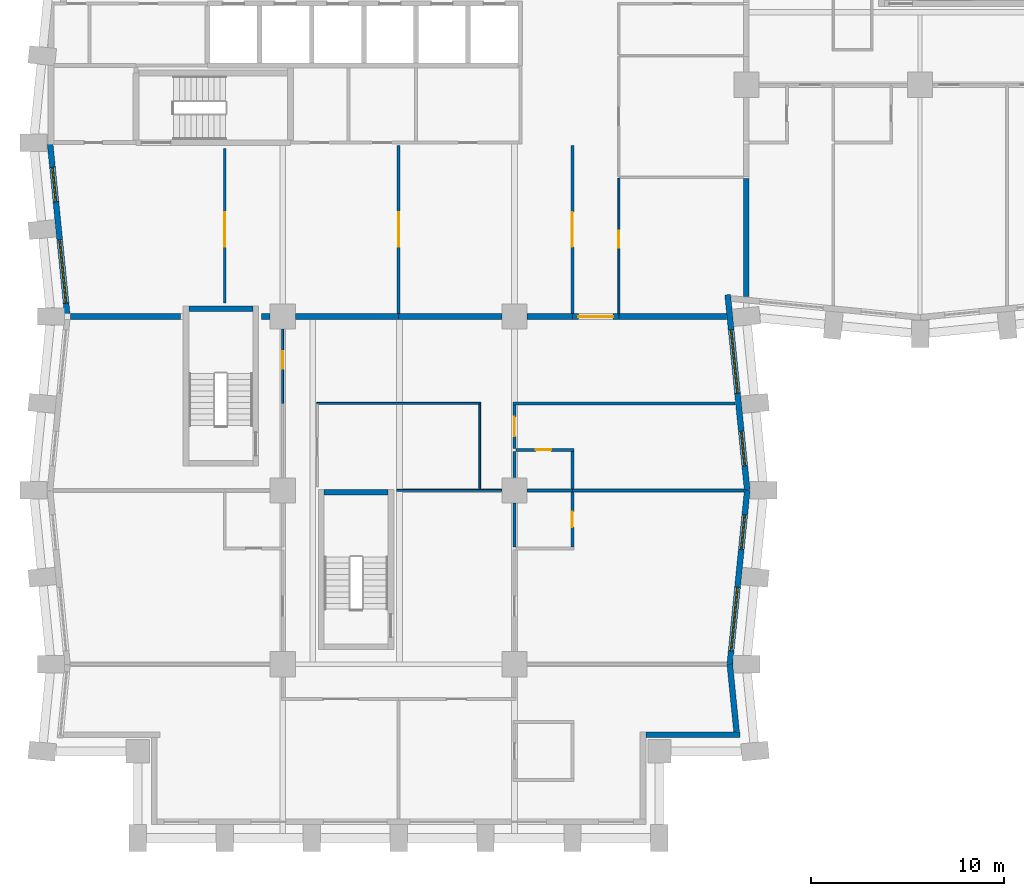
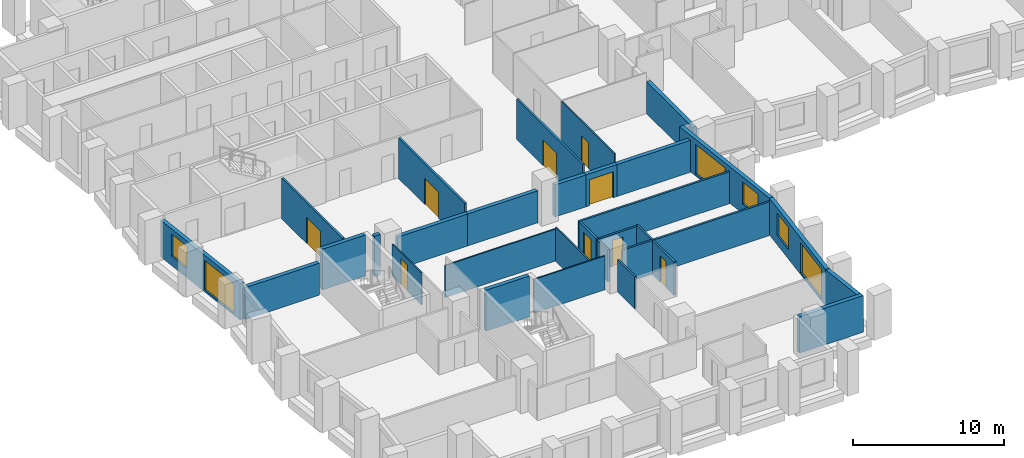
# One storey, part 4 of 12: 32 walls, 9 doors, 6 windows, 15 openings.
"""IFC4 building model written with IfcOpenShell, lengths in metres."""

from ifc_helpers import new_model, si_unit, direction, frame, frame_2d, origin, place, context, subcontext, project, spatial, rectangle, extrude, material, layer, layer_set, type_object, element, fill, save


model = new_model("IFC4")

# Units and contexts
model_context = context("Model", 3, precision=1e-05, world=origin(), true_north=direction((0.0, 1.0)))
body_context = subcontext(model_context, "Body", "Model", "MODEL_VIEW")
ifc_project = project(units=[si_unit("LENGTHUNIT", "METRE"), si_unit("AREAUNIT", "SQUARE_METRE"), si_unit("VOLUMEUNIT", "CUBIC_METRE"), si_unit("PLANEANGLEUNIT", "RADIAN"), si_unit("MASSUNIT", "GRAM", prefix="KILO")], contexts=[model_context])

# Site, building, storey
site_placement = place(None, origin())
site = spatial("IfcSite", under=ifc_project, at=site_placement, CompositionType="ELEMENT")
building_placement = place(site_placement, origin())
building = spatial("IfcBuilding", under=site, at=building_placement, Name="Brondeck Convention Tower", CompositionType="ELEMENT")
storey_placement = place(building_placement, frame((0.0, 0.0, 51.89990234375)))
storey = spatial("IfcBuildingStorey", under=building, at=storey_placement, Name="L10", CompositionType="ELEMENT", Elevation=51.89990234375)

# Walls
ifc_material_1 = material(Name="Concrete compartment wall C30/37", Category="concrete")
ifc_layer_1 = layer(ifc_material_1, 0.300048828125)
ifc_layer_set_1 = layer_set([ifc_layer_1], Name="Compartment wall 300")
wall_type_1 = type_object("IfcWallType", Name="Compartment wall 300", PredefinedType="PARTITIONING", material=ifc_layer_set_1)
wall_1_placement = place(storey_placement, frame((6.699951171875, 27.0, 0.0), z_axis=(0.0, 0.0, 1.0), x_axis=(-1.0, 0.0, 0.0)))
element("IfcWall", 1, at=wall_1_placement, inside=storey, type_object=wall_type_1, Name="FLR-L10-W035", PredefinedType="PARTITIONING", context=body_context, shape_type="SweptSolid", body=[
    extrude(rectangle(XDim=5.675048828125, YDim=0.300048828125, at=frame_2d((2.83740234375, 0.0))), origin(), (0.0, 0.0, 1.0), 2.580078125),
])
wall_2_placement = place(storey_placement, frame((11.344970703125, 27.0, 0.0), z_axis=(0.0, 0.0, 1.0), x_axis=(-1.0, 0.0, 0.0)))
element("IfcWall", 2, at=wall_2_placement, inside=storey, type_object=wall_type_1, Name="FLR-L10-W036", PredefinedType="PARTITIONING", context=body_context, shape_type="SweptSolid", body=[
    extrude(rectangle(XDim=0.445068359375, YDim=0.300048828125, at=frame_2d((0.22265625, 0.0))), origin(), (0.0, 0.0, 1.0), 3.280029296875),
])
for number, where, z_axis, x_axis, name in (
    (3, (18.0, 27.0, 0.0), (0.0, 0.0, 1.0), (-1.0, 0.0, 0.0), "FLR-L10-W037"),
    (4, (23.344970703125, 27.0, 0.0), (0.0, 0.0, 1.0), (-1.0, 0.0, 0.0), "FLR-L10-W038"),
):
    element("IfcWall", number, at=place(storey_placement, frame(where, z_axis=z_axis, x_axis=x_axis)), inside=storey, type_object=wall_type_1, Name=name, PredefinedType="PARTITIONING", context=body_context, shape_type="SweptSolid", body=[
        extrude(rectangle(XDim=5.344970703125, YDim=0.300048828125, at=frame_2d((2.67236328125, 0.0))), origin(), (0.0, 0.0, 1.0), 2.580078125),
    ])
wall_3_placement = place(storey_placement, frame((27.0, 27.0, 0.0), z_axis=(0.0, 0.0, 1.0), x_axis=(-1.0, 0.0, 0.0)))
element("IfcWall", 5, at=wall_3_placement, inside=storey, type_object=wall_type_1, Name="FLR-L10-W039", PredefinedType="PARTITIONING", context=body_context, shape_type="SweptSolid", body=[
    extrude(rectangle(XDim=2.344970703125, YDim=0.300048828125, at=frame_2d((1.17236328125, 0.0))), origin(), (0.0, 0.0, 1.0), 2.580078125),
])

# Wall, opening, door
wall_4_placement = place(storey_placement, frame((29.39990234375, 27.0, 0.0), z_axis=(0.0, 0.0, 1.0), x_axis=(-1.0, 0.0, 0.0)))
wall_4 = element("IfcWall", 6, at=wall_4_placement, inside=storey, type_object=wall_type_1, Name="FLR-L10-W040", PredefinedType="PARTITIONING", context=body_context, shape_type="SweptSolid", body=[
    extrude(rectangle(XDim=2.39990234375, YDim=0.300048828125, at=frame_2d((1.199951171875, 0.0))), origin(), (0.0, 0.0, 1.0), 2.580078125),
])
opening_1_placement = place(wall_4_placement, frame((0.300048828125, 0.0, 0.0)))
opening_1 = element("IfcOpeningElement", 7, at=opening_1_placement, cuts=wall_4, Name="Opening H2-043", PredefinedType="OPENING", context=body_context, shape_type="SweptSolid", body=[
    extrude(rectangle(XDim=1.800048828125, YDim=2.10009765625, at=frame_2d((0.89990234375, 1.050048828125))), frame((0.0, 0.159912109375, 0.0), z_axis=(0.0, -1.0, 0.0), x_axis=(1.0, 0.0, 0.0)), (0.0, 0.0, 1.0), 0.320068359375),
])
ifc_material_2 = material(Name="Steel fire door pair", Category="steel")
door_type_1 = type_object("IfcDoorType", Name="Fire door pair 1800", OperationType="DOUBLE_DOOR_SINGLE_SWING", PredefinedType="DOOR", material=ifc_material_2)
door_1_placement = place(opening_1_placement, origin())
door_1 = element("IfcDoor", 8, at=door_1_placement, inside=storey, type_object=door_type_1, Name="Door H2-043", OperationType="DOUBLE_DOOR_SINGLE_SWING", OverallHeight=2.10009765625, OverallWidth=1.800048828125, PredefinedType="DOOR", context=body_context, shape_type="SweptSolid", body=[
    extrude(rectangle(XDim=1.800048828125, YDim=2.10009765625, at=frame_2d((0.89990234375, 1.050048828125))), frame((0.0, 0.02490234375, 0.0), z_axis=(0.0, -1.0, 0.0), x_axis=(1.0, 0.0, 0.0)), (0.0, 0.0, 1.0), 0.050048828125),
])
fill(opening_1, door_1)

# Walls
wall_5_placement = place(storey_placement, frame((34.97509765625, 27.0, 0.0), z_axis=(0.0, 0.0, 1.0), x_axis=(-1.0, 0.0, 0.0)))
element("IfcWall", 9, at=wall_5_placement, inside=storey, type_object=wall_type_1, Name="FLR-L10-W041", PredefinedType="PARTITIONING", context=body_context, shape_type="SweptSolid", body=[
    extrude(rectangle(XDim=5.5751953125, YDim=0.300048828125, at=frame_2d((2.78759765625, 0.0))), origin(), (0.0, 0.0, 1.0), 2.580078125),
])
wall_6_placement = place(storey_placement, frame((36.0, 34.14990234375, 0.0), z_axis=(0.0, 0.0, 1.0), x_axis=(0.0, -1.0, 0.0)))
element("IfcWall", 10, at=wall_6_placement, inside=storey, type_object=wall_type_1, Name="FLR-L10-W044", PredefinedType="PARTITIONING", context=body_context, shape_type="SweptSolid", body=[
    extrude(rectangle(XDim=6.125, YDim=0.300048828125, at=frame_2d((3.0625, 0.0))), origin(), (0.0, 0.0, 1.0), 2.580078125),
])
ifc_material_3 = material(Name="Precast concrete C50/60 bronze finish", Category="concrete")
ifc_layer_2 = layer(ifc_material_3, 0.070068359375, Name="Bronze precast facing")
ifc_material_4 = material(Name="Mineral wool")
ifc_layer_3 = layer(ifc_material_4, 0.159912109375, Name="Insulation")
ifc_material_5 = material(Name="Concrete C35/45", Category="concrete")
ifc_layer_4 = layer(ifc_material_5, 0.070068359375, Name="Backing")
ifc_layer_set_2 = layer_set([ifc_layer_2, ifc_layer_3, ifc_layer_4], Name="External infill wall, precast concrete C50/60 bronze facing")
wall_type_2 = type_object("IfcWallType", Name="External infill wall, precast concrete C50/60 bronze facing", PredefinedType="SOLIDWALL", material=ifc_layer_set_2)
wall_7_placement = place(storey_placement, frame((35.676513671875, 5.35009765625, 0.0), z_axis=(0.0, 0.0, 1.0), x_axis=(-1.0, 0.0, 0.0)))
element("IfcWall", 11, at=wall_7_placement, inside=storey, type_object=wall_type_2, Name="ENV-EW-L10-P0-NC-SEB0-02", PredefinedType="SOLIDWALL", context=body_context, shape_type="SweptSolid", body=[
    extrude(rectangle(XDim=4.87646484375, YDim=0.300048828125, at=frame_2d((2.438232421875, 0.0))), origin(), (0.0, 0.0, 1.0), 2.9501953125),
])
wall_8_placement = place(storey_placement, frame((35.144287109375, 9.014892578125, 0.0), z_axis=(0.0, 0.0, 1.0), x_axis=(0.099462600847, -0.995041301169, 0.0)))
element("IfcWall", 12, at=wall_8_placement, inside=storey, type_object=wall_type_2, Name="ENV-EW-L10-P0-B-E-04", PredefinedType="SOLIDWALL", context=body_context, shape_type="SweptSolid", body=[
    extrude(rectangle(XDim=3.52734375, YDim=0.300048828125, at=frame_2d((1.763671875, 0.0))), origin(), (0.0, 0.0, 1.0), 2.9501953125),
])

# Wall, openings, windows
wall_9_placement = place(storey_placement, frame((36.04736328125, 18.014892578125, 0.0), z_axis=(0.0, 0.0, 1.0), x_axis=(-0.099522457379, -0.995035316196, 0.0)))
wall_9 = element("IfcWall", 13, at=wall_9_placement, inside=storey, type_object=wall_type_2, Name="ENV-EW-L10-P0-B-E-03", PredefinedType="SOLIDWALL", context=body_context, shape_type="SweptSolid", body=[
    extrude(rectangle(XDim=9.030029296875, YDim=0.300048828125, at=frame_2d((4.51513671875, 0.0))), origin(), (0.0, 0.0, 1.0), 2.9501953125),
])
opening_2_placement = place(wall_9_placement, frame((1.291259765625, 0.0, 0.75)))
opening_2 = element("IfcOpeningElement", 14, at=opening_2_placement, cuts=wall_9, Name="Opening W10", PredefinedType="OPENING", context=body_context, shape_type="SweptSolid", body=[
    extrude(rectangle(XDim=1.800048828125, YDim=1.800048828125, at=frame_2d((0.89990234375, 0.89990234375))), frame((0.0, 0.159912109375, 0.0), z_axis=(0.0, -1.0, 0.0), x_axis=(1.0, 0.0, 0.0)), (0.0, 0.0, 1.0), 0.320068359375),
])
opening_3_placement = place(wall_9_placement, frame((5.063720703125, 0.0, 0.14990234375)))
opening_3 = element("IfcOpeningElement", 15, at=opening_3_placement, cuts=wall_9, Name="Opening W9", PredefinedType="OPENING", context=body_context, shape_type="SweptSolid", body=[
    extrude(rectangle(XDim=3.300048828125, YDim=2.39990234375, at=frame_2d((1.64990234375, 1.199951171875))), frame((0.0, 0.159912109375, 0.0), z_axis=(0.0, -1.0, 0.0), x_axis=(1.0, 0.0, 0.0)), (0.0, 0.0, 1.0), 0.320068359375),
])
ifc_material_6 = material(Name="Bronze tinted double glazing", Category="glass")
window_type_1 = type_object("IfcWindowType", Name="Glazed flute window, bronze tinted", PartitioningType="SINGLE_PANEL", PredefinedType="WINDOW", material=ifc_material_6)
window_1_placement = place(opening_3_placement, origin())
window_1 = element("IfcWindow", 16, at=window_1_placement, inside=storey, type_object=window_type_1, Name="ENV-WN-L10-P0-B-E-03", OverallHeight=2.39990234375, OverallWidth=3.300048828125, PartitioningType="SINGLE_PANEL", PredefinedType="WINDOW", context=body_context, shape_type="SweptSolid", body=[
    extrude(rectangle(XDim=3.300048828125, YDim=2.39990234375, at=frame_2d((1.64990234375, 1.199951171875))), frame((0.0, 0.030029296875, 0.0), z_axis=(0.0, -1.0, 0.0), x_axis=(1.0, 0.0, 0.0)), (0.0, 0.0, 1.0), 0.06005859375),
])
fill(opening_3, window_1)
window_type_2 = type_object("IfcWindowType", Name="Punched window, bronze tinted", PartitioningType="SINGLE_PANEL", PredefinedType="WINDOW", material=ifc_material_6)
window_2_placement = place(opening_2_placement, origin())
window_2 = element("IfcWindow", 17, at=window_2_placement, inside=storey, type_object=window_type_2, Name="ENV-WN-L10-P0-B-E-02", OverallHeight=1.800048828125, OverallWidth=1.800048828125, PartitioningType="SINGLE_PANEL", PredefinedType="WINDOW", context=body_context, shape_type="SweptSolid", body=[
    extrude(rectangle(XDim=1.800048828125, YDim=1.800048828125, at=frame_2d((0.89990234375, 0.89990234375))), frame((0.0, 0.030029296875, 0.0), z_axis=(0.0, -1.0, 0.0), x_axis=(1.0, 0.0, 0.0)), (0.0, 0.0, 1.0), 0.06005859375),
])
fill(opening_2, window_2)

wall_10_placement = place(storey_placement, frame((35.03271484375, 28.131591796875, 0.0), z_axis=(0.0, 0.0, 1.0), x_axis=(0.099487051997, -0.995038856771, 0.0)))
wall_10 = element("IfcWall", 18, at=wall_10_placement, inside=storey, type_object=wall_type_2, Name="ENV-EW-L10-P0-B-E-01", PredefinedType="SOLIDWALL", context=body_context, shape_type="SweptSolid", body=[
    extrude(rectangle(XDim=10.152099609375, YDim=0.300048828125, at=frame_2d((5.076171875, 0.0))), origin(), (0.0, 0.0, 1.0), 2.9501953125),
])
opening_4_placement = place(wall_10_placement, frame((1.83349609375, 0.0, 0.14990234375)))
opening_4 = element("IfcOpeningElement", 19, at=opening_4_placement, cuts=wall_10, Name="Opening W9", PredefinedType="OPENING", context=body_context, shape_type="SweptSolid", body=[
    extrude(rectangle(XDim=3.300048828125, YDim=2.39990234375, at=frame_2d((1.64990234375, 1.199951171875))), frame((0.0, 0.159912109375, 0.0), z_axis=(0.0, -1.0, 0.0), x_axis=(1.0, 0.0, 0.0)), (0.0, 0.0, 1.0), 0.320068359375),
])
opening_5_placement = place(wall_10_placement, frame((7.10595703125, 0.0, 0.75)))
opening_5 = element("IfcOpeningElement", 20, at=opening_5_placement, cuts=wall_10, Name="Opening W10", PredefinedType="OPENING", context=body_context, shape_type="SweptSolid", body=[
    extrude(rectangle(XDim=1.800048828125, YDim=1.800048828125, at=frame_2d((0.89990234375, 0.89990234375))), frame((0.0, 0.159912109375, 0.0), z_axis=(0.0, -1.0, 0.0), x_axis=(1.0, 0.0, 0.0)), (0.0, 0.0, 1.0), 0.320068359375),
])
window_3_placement = place(opening_4_placement, origin())
window_3 = element("IfcWindow", 21, at=window_3_placement, inside=storey, type_object=window_type_1, Name="ENV-WN-L10-P0-B-E-00", OverallHeight=2.39990234375, OverallWidth=3.300048828125, PartitioningType="SINGLE_PANEL", PredefinedType="WINDOW", context=body_context, shape_type="SweptSolid", body=[
    extrude(rectangle(XDim=3.300048828125, YDim=2.39990234375, at=frame_2d((1.64990234375, 1.199951171875))), frame((0.0, 0.030029296875, 0.0), z_axis=(0.0, -1.0, 0.0), x_axis=(1.0, 0.0, 0.0)), (0.0, 0.0, 1.0), 0.06005859375),
])
fill(opening_4, window_3)
window_4_placement = place(opening_5_placement, origin())
window_4 = element("IfcWindow", 22, at=window_4_placement, inside=storey, type_object=window_type_2, Name="ENV-WN-L10-P0-B-E-01", OverallHeight=1.800048828125, OverallWidth=1.800048828125, PartitioningType="SINGLE_PANEL", PredefinedType="WINDOW", context=body_context, shape_type="SweptSolid", body=[
    extrude(rectangle(XDim=1.800048828125, YDim=1.800048828125, at=frame_2d((0.89990234375, 0.89990234375))), frame((0.0, 0.030029296875, 0.0), z_axis=(0.0, -1.0, 0.0), x_axis=(1.0, 0.0, 0.0)), (0.0, 0.0, 1.0), 0.06005859375),
])
fill(opening_5, window_4)

wall_11_placement = place(storey_placement, frame((0.855712890625, 26.985107421875, 0.0), z_axis=(0.0, 0.0, 1.0), x_axis=(-0.099503719021, 0.99503719021, 0.0)))
wall_11 = element("IfcWall", 23, at=wall_11_placement, inside=storey, type_object=wall_type_2, Name="ENV-EW-L10-P0-B-W-06", PredefinedType="SOLIDWALL", context=body_context, shape_type="SweptSolid", body=[
    extrude(rectangle(XDim=8.994873046875, YDim=0.300048828125, at=frame_2d((4.49755859375, 0.0))), origin(), (0.0, 0.0, 1.0), 2.9501953125),
])
opening_6_placement = place(wall_11_placement, frame((0.711181640625, 0.0, 0.14990234375)))
opening_6 = element("IfcOpeningElement", 24, at=opening_6_placement, cuts=wall_11, Name="Opening W9", PredefinedType="OPENING", context=body_context, shape_type="SweptSolid", body=[
    extrude(rectangle(XDim=3.300048828125, YDim=2.39990234375, at=frame_2d((1.64990234375, 1.199951171875))), frame((0.0, 0.159912109375, 0.0), z_axis=(0.0, -1.0, 0.0), x_axis=(1.0, 0.0, 0.0)), (0.0, 0.0, 1.0), 0.320068359375),
])
opening_7_placement = place(wall_11_placement, frame((5.983642578125, 0.0, 0.75)))
opening_7 = element("IfcOpeningElement", 25, at=opening_7_placement, cuts=wall_11, Name="Opening W10", PredefinedType="OPENING", context=body_context, shape_type="SweptSolid", body=[
    extrude(rectangle(XDim=1.800048828125, YDim=1.800048828125, at=frame_2d((0.89990234375, 0.89990234375))), frame((0.0, 0.159912109375, 0.0), z_axis=(0.0, -1.0, 0.0), x_axis=(1.0, 0.0, 0.0)), (0.0, 0.0, 1.0), 0.320068359375),
])
window_5_placement = place(opening_6_placement, origin())
window_5 = element("IfcWindow", 26, at=window_5_placement, inside=storey, type_object=window_type_1, Name="ENV-WN-L10-P0-B-W-07", OverallHeight=2.39990234375, OverallWidth=3.300048828125, PartitioningType="SINGLE_PANEL", PredefinedType="WINDOW", context=body_context, shape_type="SweptSolid", body=[
    extrude(rectangle(XDim=3.300048828125, YDim=2.39990234375, at=frame_2d((1.64990234375, 1.199951171875))), frame((0.0, 0.030029296875, 0.0), z_axis=(0.0, -1.0, 0.0), x_axis=(1.0, 0.0, 0.0)), (0.0, 0.0, 1.0), 0.06005859375),
])
fill(opening_6, window_5)
window_6_placement = place(opening_7_placement, origin())
window_6 = element("IfcWindow", 27, at=window_6_placement, inside=storey, type_object=window_type_2, Name="ENV-WN-L10-P0-B-W-06", OverallHeight=1.800048828125, OverallWidth=1.800048828125, PartitioningType="SINGLE_PANEL", PredefinedType="WINDOW", context=body_context, shape_type="SweptSolid", body=[
    extrude(rectangle(XDim=1.800048828125, YDim=1.800048828125, at=frame_2d((0.89990234375, 0.89990234375))), frame((0.0, 0.030029296875, 0.0), z_axis=(0.0, -1.0, 0.0), x_axis=(1.0, 0.0, 0.0)), (0.0, 0.0, 1.0), 0.06005859375),
])
fill(opening_7, window_6)

# Wall, opening, door
ifc_material_7 = material(Name="Double gypsum board acoustic wall")
ifc_layer_5 = layer(ifc_material_7, 0.14990234375)
ifc_layer_set_3 = layer_set([ifc_layer_5], Name="Guest room party wall 150")
wall_type_3 = type_object("IfcWallType", Name="Guest room party wall 150", PredefinedType="PARTITIONING", material=ifc_layer_set_3)
wall_12_placement = place(storey_placement, frame((27.0, 15.074951171875, 0.0), z_axis=(0.0, 0.0, 1.0), x_axis=(0.0, 1.0, 0.0)))
wall_12 = element("IfcWall", 28, at=wall_12_placement, inside=storey, type_object=wall_type_3, Name="FLR-L10-W017", PredefinedType="PARTITIONING", context=body_context, shape_type="SweptSolid", body=[
    extrude(rectangle(XDim=2.85009765625, YDim=0.14990234375, at=frame_2d((1.425048828125, 0.0))), origin(), (0.0, 0.0, 1.0), 2.72998046875),
])
opening_8_placement = place(wall_12_placement, frame((1.02490234375, 0.0, 0.0)))
opening_8 = element("IfcOpeningElement", 29, at=opening_8_placement, cuts=wall_12, Name="Opening H2-028", PredefinedType="OPENING", context=body_context, shape_type="SweptSolid", body=[
    extrude(rectangle(XDim=0.800048828125, YDim=2.10009765625, at=frame_2d((0.39990234375, 1.050048828125))), frame((0.0, 0.0849609375, 0.0), z_axis=(0.0, -1.0, 0.0), x_axis=(1.0, 0.0, 0.0)), (0.0, 0.0, 1.0), 0.169921875),
])
ifc_material_8 = material(Name="Solid timber door leaf", Category="wood")
door_type_2 = type_object("IfcDoorType", Name="En-suite door 800", OperationType="NOTDEFINED", PredefinedType="DOOR", material=ifc_material_8)
door_2_placement = place(opening_8_placement, origin())
door_2 = element("IfcDoor", 30, at=door_2_placement, inside=storey, type_object=door_type_2, Name="Door H2-028", OperationType="SINGLE_SWING_RIGHT", OverallHeight=2.10009765625, OverallWidth=0.800048828125, PredefinedType="DOOR", context=body_context, shape_type="SweptSolid", body=[
    extrude(rectangle(XDim=0.800048828125, YDim=2.10009765625, at=frame_2d((0.39990234375, 1.050048828125))), frame((0.0, 0.02490234375, 0.0), z_axis=(0.0, -1.0, 0.0), x_axis=(1.0, 0.0, 0.0)), (0.0, 0.0, 1.0), 0.050048828125),
])
fill(opening_8, door_2)

# Walls
wall_13_placement = place(storey_placement, frame((24.0, 17.344970703125, 0.0), z_axis=(0.0, 0.0, 1.0), x_axis=(0.0, -1.0, 0.0)))
element("IfcWall", 31, at=wall_13_placement, inside=storey, type_object=wall_type_3, Name="FLR-L10-W018", PredefinedType="PARTITIONING", context=body_context, shape_type="SweptSolid", body=[
    extrude(rectangle(XDim=2.27001953125, YDim=0.14990234375, at=frame_2d((1.135009765625, 0.0))), origin(), (0.0, 0.0, 1.0), 2.580078125),
])
wall_14_placement = place(storey_placement, frame((27.0, 18.0, 0.0), z_axis=(0.0, 0.0, 1.0), x_axis=(-1.0, 0.0, 0.0)))
element("IfcWall", 32, at=wall_14_placement, inside=storey, type_object=wall_type_3, Name="FLR-L10-W023", PredefinedType="PARTITIONING", context=body_context, shape_type="SweptSolid", body=[
    extrude(rectangle(XDim=2.344970703125, YDim=0.14990234375, at=frame_2d((1.17236328125, 0.0))), origin(), (0.0, 0.0, 1.0), 2.72998046875),
])
wall_15_placement = place(storey_placement, frame((35.875, 18.0, 0.0), z_axis=(0.0, 0.0, 1.0), x_axis=(-1.0, 0.0, 0.0)))
element("IfcWall", 33, at=wall_15_placement, inside=storey, type_object=wall_type_3, Name="FLR-L10-W024", PredefinedType="PARTITIONING", context=body_context, shape_type="SweptSolid", body=[
    extrude(rectangle(XDim=8.875, YDim=0.14990234375, at=frame_2d((4.4375, 0.0))), origin(), (0.0, 0.0, 1.0), 2.72998046875),
])
wall_16_placement = place(storey_placement, frame((27.0, 18.074951171875, 0.0), z_axis=(0.0, 0.0, 1.0), x_axis=(0.0, 1.0, 0.0)))
element("IfcWall", 34, at=wall_16_placement, inside=storey, type_object=wall_type_3, Name="FLR-L10-W026", PredefinedType="PARTITIONING", context=body_context, shape_type="SweptSolid", body=[
    extrude(rectangle(XDim=1.949951171875, YDim=0.14990234375, at=frame_2d((0.97509765625, 0.0))), origin(), (0.0, 0.0, 1.0), 2.72998046875),
])
wall_17_placement = place(storey_placement, frame((24.0, 20.02490234375, 0.0), z_axis=(0.0, 0.0, 1.0), x_axis=(0.0, -1.0, 0.0)))
element("IfcWall", 35, at=wall_17_placement, inside=storey, type_object=wall_type_3, Name="FLR-L10-W027", PredefinedType="PARTITIONING", context=body_context, shape_type="SweptSolid", body=[
    extrude(rectangle(XDim=1.369873046875, YDim=0.14990234375, at=frame_2d((0.68505859375, 0.0))), origin(), (0.0, 0.0, 1.0), 2.580078125),
])

# Wall, opening, door
wall_18_placement = place(storey_placement, frame((27.074951171875, 20.10009765625, 0.0), z_axis=(0.0, 0.0, 1.0), x_axis=(-1.0, 0.0, 0.0)))
wall_18 = element("IfcWall", 36, at=wall_18_placement, inside=storey, type_object=wall_type_3, Name="FLR-L10-W028", PredefinedType="PARTITIONING", context=body_context, shape_type="SweptSolid", body=[
    extrude(rectangle(XDim=3.0, YDim=0.14990234375, at=frame_2d((1.5, 0.0))), origin(), (0.0, 0.0, 1.0), 2.580078125),
])
opening_9_placement = place(wall_18_placement, frame((1.175048828125, 0.0, 0.0)))
opening_9 = element("IfcOpeningElement", 37, at=opening_9_placement, cuts=wall_18, Name="Opening H2-026", PredefinedType="OPENING", context=body_context, shape_type="SweptSolid", body=[
    extrude(rectangle(XDim=0.800048828125, YDim=2.10009765625, at=frame_2d((0.39990234375, 1.050048828125))), frame((0.0, 0.0849609375, 0.0), z_axis=(0.0, -1.0, 0.0), x_axis=(1.0, 0.0, 0.0)), (0.0, 0.0, 1.0), 0.169921875),
])
door_3_placement = place(opening_9_placement, origin())
door_3 = element("IfcDoor", 38, at=door_3_placement, inside=storey, type_object=door_type_2, Name="Door H2-026", OperationType="SINGLE_SWING_LEFT", OverallHeight=2.10009765625, OverallWidth=0.800048828125, PredefinedType="DOOR", context=body_context, shape_type="SweptSolid", body=[
    extrude(rectangle(XDim=0.800048828125, YDim=2.10009765625, at=frame_2d((0.39990234375, 1.050048828125))), frame((0.0, 0.02490234375, 0.0), z_axis=(0.0, -1.0, 0.0), x_axis=(1.0, 0.0, 0.0)), (0.0, 0.0, 1.0), 0.050048828125),
])
fill(opening_9, door_3)

wall_19_placement = place(storey_placement, frame((24.0, 22.425048828125, 0.0), z_axis=(0.0, 0.0, 1.0), x_axis=(0.0, -1.0, 0.0)))
wall_19 = element("IfcWall", 39, at=wall_19_placement, inside=storey, type_object=wall_type_3, Name="FLR-L10-W029", PredefinedType="PARTITIONING", context=body_context, shape_type="SweptSolid", body=[
    extrude(rectangle(XDim=2.25, YDim=0.14990234375, at=frame_2d((1.125, 0.0))), origin(), (0.0, 0.0, 1.0), 2.580078125),
])
opening_10_placement = place(wall_19_placement, frame((0.625, 0.0, 0.0)))
opening_10 = element("IfcOpeningElement", 40, at=opening_10_placement, cuts=wall_19, Name="Opening H2-025", PredefinedType="OPENING", context=body_context, shape_type="SweptSolid", body=[
    extrude(rectangle(XDim=1.0, YDim=2.10009765625, at=frame_2d((0.5, 1.050048828125))), frame((0.0, 0.0849609375, 0.0), z_axis=(0.0, -1.0, 0.0), x_axis=(1.0, 0.0, 0.0)), (0.0, 0.0, 1.0), 0.169921875),
])
ifc_material_9 = material(Name="Solid timber fire door leaf", Category="wood")
door_type_3 = type_object("IfcDoorType", Name="Guest room door 1000", OperationType="NOTDEFINED", PredefinedType="DOOR", material=ifc_material_9)
door_4_placement = place(opening_10_placement, origin())
door_4 = element("IfcDoor", 41, at=door_4_placement, inside=storey, type_object=door_type_3, Name="Door H2-025", OperationType="SINGLE_SWING_LEFT", OverallHeight=2.10009765625, OverallWidth=1.0, PredefinedType="DOOR", context=body_context, shape_type="SweptSolid", body=[
    extrude(rectangle(XDim=1.0, YDim=2.10009765625, at=frame_2d((0.5, 1.050048828125))), frame((0.0, 0.02490234375, 0.0), z_axis=(0.0, -1.0, 0.0), x_axis=(1.0, 0.0, 0.0)), (0.0, 0.0, 1.0), 0.050048828125),
])
fill(opening_10, door_4)

# Wall
wall_20_placement = place(storey_placement, frame((35.425048828125, 22.5, 0.0), z_axis=(0.0, 0.0, 1.0), x_axis=(-1.0, 0.0, 0.0)))
element("IfcWall", 42, at=wall_20_placement, inside=storey, type_object=wall_type_3, Name="FLR-L10-W034", PredefinedType="PARTITIONING", context=body_context, shape_type="SweptSolid", body=[
    extrude(rectangle(XDim=11.5, YDim=0.14990234375, at=frame_2d((5.75, 0.0))), origin(), (0.0, 0.0, 1.0), 2.580078125),
])

# Wall, opening, door
wall_21_placement = place(storey_placement, frame((27.0, 27.14990234375, 0.0), z_axis=(0.0, 0.0, 1.0), x_axis=(0.0, 1.0, 0.0)))
wall_21 = element("IfcWall", 43, at=wall_21_placement, inside=storey, type_object=wall_type_3, Name="FLR-L10-W042", PredefinedType="PARTITIONING", context=body_context, shape_type="SweptSolid", body=[
    extrude(rectangle(XDim=8.7001953125, YDim=0.14990234375, at=frame_2d((4.35009765625, 0.0))), origin(), (0.0, 0.0, 1.0), 3.280029296875),
])
opening_11_placement = place(wall_21_placement, frame((3.449951171875, 0.0, 0.0)))
opening_11 = element("IfcOpeningElement", 44, at=opening_11_placement, cuts=wall_21, Name="Opening H2-039", PredefinedType="OPENING", context=body_context, shape_type="SweptSolid", body=[
    extrude(rectangle(XDim=1.800048828125, YDim=2.10009765625, at=frame_2d((0.89990234375, 1.050048828125))), frame((0.0, 0.0849609375, 0.0), z_axis=(0.0, -1.0, 0.0), x_axis=(1.0, 0.0, 0.0)), (0.0, 0.0, 1.0), 0.169921875),
])
ifc_material_10 = material(Name="Glazed timber double door", Category="wood")
door_type_4 = type_object("IfcDoorType", Name="Double door 1800", OperationType="DOUBLE_DOOR_SINGLE_SWING", PredefinedType="DOOR", material=ifc_material_10)
door_5_placement = place(opening_11_placement, origin())
door_5 = element("IfcDoor", 45, at=door_5_placement, inside=storey, type_object=door_type_4, Name="Door H2-039", OperationType="DOUBLE_DOOR_SINGLE_SWING", OverallHeight=2.10009765625, OverallWidth=1.800048828125, PredefinedType="DOOR", context=body_context, shape_type="SweptSolid", body=[
    extrude(rectangle(XDim=1.800048828125, YDim=2.10009765625, at=frame_2d((0.89990234375, 1.050048828125))), frame((0.0, 0.02490234375, 0.0), z_axis=(0.0, -1.0, 0.0), x_axis=(1.0, 0.0, 0.0)), (0.0, 0.0, 1.0), 0.050048828125),
])
fill(opening_11, door_5)

wall_22_placement = place(storey_placement, frame((9.0, 27.699951171875, 0.0), z_axis=(0.0, 0.0, 1.0), x_axis=(0.0, 1.0, 0.0)))
wall_22 = element("IfcWall", 46, at=wall_22_placement, inside=storey, type_object=wall_type_3, Name="FLR-L10-W046", PredefinedType="PARTITIONING", context=body_context, shape_type="SweptSolid", body=[
    extrude(rectangle(XDim=8.0, YDim=0.14990234375, at=frame_2d((4.0, 0.0))), origin(), (0.0, 0.0, 1.0), 3.280029296875),
])
opening_12_placement = place(wall_22_placement, frame((2.89990234375, 0.0, 0.0)))
opening_12 = element("IfcOpeningElement", 47, at=opening_12_placement, cuts=wall_22, Name="Opening H2-040", PredefinedType="OPENING", context=body_context, shape_type="SweptSolid", body=[
    extrude(rectangle(XDim=1.800048828125, YDim=2.10009765625, at=frame_2d((0.89990234375, 1.050048828125))), frame((0.0, 0.0849609375, 0.0), z_axis=(0.0, -1.0, 0.0), x_axis=(1.0, 0.0, 0.0)), (0.0, 0.0, 1.0), 0.169921875),
])
door_6_placement = place(opening_12_placement, origin())
door_6 = element("IfcDoor", 48, at=door_6_placement, inside=storey, type_object=door_type_4, Name="Door H2-040", OperationType="DOUBLE_DOOR_SINGLE_SWING", OverallHeight=2.10009765625, OverallWidth=1.800048828125, PredefinedType="DOOR", context=body_context, shape_type="SweptSolid", body=[
    extrude(rectangle(XDim=1.800048828125, YDim=2.10009765625, at=frame_2d((0.89990234375, 1.050048828125))), frame((0.0, 0.02490234375, 0.0), z_axis=(0.0, -1.0, 0.0), x_axis=(1.0, 0.0, 0.0)), (0.0, 0.0, 1.0), 0.050048828125),
])
fill(opening_12, door_6)

wall_23_placement = place(storey_placement, frame((18.0, 27.14990234375, 0.0), z_axis=(0.0, 0.0, 1.0), x_axis=(0.0, 1.0, 0.0)))
wall_23 = element("IfcWall", 49, at=wall_23_placement, inside=storey, type_object=wall_type_3, Name="FLR-L10-W047", PredefinedType="PARTITIONING", context=body_context, shape_type="SweptSolid", body=[
    extrude(rectangle(XDim=8.7001953125, YDim=0.14990234375, at=frame_2d((4.35009765625, 0.0))), origin(), (0.0, 0.0, 1.0), 3.280029296875),
])
opening_13_placement = place(wall_23_placement, frame((3.449951171875, 0.0, 0.0)))
opening_13 = element("IfcOpeningElement", 50, at=opening_13_placement, cuts=wall_23, Name="Opening H2-041", PredefinedType="OPENING", context=body_context, shape_type="SweptSolid", body=[
    extrude(rectangle(XDim=1.800048828125, YDim=2.10009765625, at=frame_2d((0.89990234375, 1.050048828125))), frame((0.0, 0.0849609375, 0.0), z_axis=(0.0, -1.0, 0.0), x_axis=(1.0, 0.0, 0.0)), (0.0, 0.0, 1.0), 0.169921875),
])
door_7_placement = place(opening_13_placement, origin())
door_7 = element("IfcDoor", 51, at=door_7_placement, inside=storey, type_object=door_type_4, Name="Door H2-041", OperationType="DOUBLE_DOOR_SINGLE_SWING", OverallHeight=2.10009765625, OverallWidth=1.800048828125, PredefinedType="DOOR", context=body_context, shape_type="SweptSolid", body=[
    extrude(rectangle(XDim=1.800048828125, YDim=2.10009765625, at=frame_2d((0.89990234375, 1.050048828125))), frame((0.0, 0.02490234375, 0.0), z_axis=(0.0, -1.0, 0.0), x_axis=(1.0, 0.0, 0.0)), (0.0, 0.0, 1.0), 0.050048828125),
])
fill(opening_13, door_7)

# Walls
ifc_material_11 = material(Name="Gypsum board partition on steel studs", Category="steel")
ifc_layer_6 = layer(ifc_material_11, 0.10009765625)
ifc_layer_set_4 = layer_set([ifc_layer_6], Name="Room partition 100")
wall_type_4 = type_object("IfcWallType", Name="Room partition 100", PredefinedType="PARTITIONING", material=ifc_layer_set_4)
wall_24_placement = place(storey_placement, frame((23.330078125, 18.0, 0.0), z_axis=(0.0, 0.0, 1.0), x_axis=(-1.0, 0.0, 0.0)))
element("IfcWall", 52, at=wall_24_placement, inside=storey, type_object=wall_type_4, Name="FLR-L10-W022", PredefinedType="PARTITIONING", context=body_context, shape_type="SweptSolid", body=[
    extrude(rectangle(XDim=5.43017578125, YDim=0.10009765625, at=frame_2d((2.715087890625, 0.0))), origin(), (0.0, 0.0, 1.0), 2.72998046875),
])
wall_25_placement = place(storey_placement, frame((22.199951171875, 18.050048828125, 0.0), z_axis=(0.0, 0.0, 1.0), x_axis=(0.0, 1.0, 0.0)))
element("IfcWall", 53, at=wall_25_placement, inside=storey, type_object=wall_type_4, Name="FLR-L10-W025", PredefinedType="PARTITIONING", context=body_context, shape_type="SweptSolid", body=[
    extrude(rectangle(XDim=4.39990234375, YDim=0.10009765625, at=frame_2d((2.199951171875, 0.0))), origin(), (0.0, 0.0, 1.0), 2.72998046875),
])

# Wall, opening, door
wall_26_placement = place(storey_placement, frame((12.0, 26.344970703125, 0.0), z_axis=(0.0, 0.0, 1.0), x_axis=(0.0, -1.0, 0.0)))
wall_26 = element("IfcWall", 54, at=wall_26_placement, inside=storey, type_object=wall_type_4, Name="FLR-L10-W032", PredefinedType="PARTITIONING", context=body_context, shape_type="SweptSolid", body=[
    extrude(rectangle(XDim=3.844970703125, YDim=0.10009765625, at=frame_2d((1.92236328125, 0.0))), origin(), (0.0, 0.0, 1.0), 2.580078125),
])
opening_14_placement = place(wall_26_placement, frame((1.14501953125, 0.0, 0.0)))
opening_14 = element("IfcOpeningElement", 55, at=opening_14_placement, cuts=wall_26, Name="Opening H2-022", PredefinedType="OPENING", context=body_context, shape_type="SweptSolid", body=[
    extrude(rectangle(XDim=0.89990234375, YDim=2.10009765625, at=frame_2d((0.449951171875, 1.050048828125))), frame((0.0, 0.06005859375, 0.0), z_axis=(0.0, -1.0, 0.0), x_axis=(1.0, 0.0, 0.0)), (0.0, 0.0, 1.0), 0.1201171875),
])
door_type_5 = type_object("IfcDoorType", Name="Single door 900", OperationType="NOTDEFINED", PredefinedType="DOOR", material=ifc_material_8)
door_8_placement = place(opening_14_placement, origin())
door_8 = element("IfcDoor", 56, at=door_8_placement, inside=storey, type_object=door_type_5, Name="Door H2-022", OperationType="SINGLE_SWING_LEFT", OverallHeight=2.10009765625, OverallWidth=0.89990234375, PredefinedType="DOOR", context=body_context, shape_type="SweptSolid", body=[
    extrude(rectangle(XDim=0.89990234375, YDim=2.10009765625, at=frame_2d((0.449951171875, 1.050048828125))), frame((0.0, 0.02490234375, 0.0), z_axis=(0.0, -1.0, 0.0), x_axis=(1.0, 0.0, 0.0)), (0.0, 0.0, 1.0), 0.050048828125),
])
fill(opening_14, door_8)

# Wall
wall_27_placement = place(storey_placement, frame((22.25, 22.5, 0.0), z_axis=(0.0, 0.0, 1.0), x_axis=(-1.0, 0.0, 0.0)))
element("IfcWall", 57, at=wall_27_placement, inside=storey, type_object=wall_type_4, Name="FLR-L10-W033", PredefinedType="PARTITIONING", context=body_context, shape_type="SweptSolid", body=[
    extrude(rectangle(XDim=8.5, YDim=0.10009765625, at=frame_2d((4.25, 0.0))), origin(), (0.0, 0.0, 1.0), 2.580078125),
])

# Wall, opening, door
wall_28_placement = place(storey_placement, frame((29.39990234375, 34.14990234375, 0.0), z_axis=(0.0, 0.0, 1.0), x_axis=(0.0, -1.0, 0.0)))
wall_28 = element("IfcWall", 58, at=wall_28_placement, inside=storey, type_object=wall_type_4, Name="FLR-L10-W043", PredefinedType="PARTITIONING", context=body_context, shape_type="SweptSolid", body=[
    extrude(rectangle(XDim=7.0, YDim=0.10009765625, at=frame_2d((3.5, 0.0))), origin(), (0.0, 0.0, 1.0), 3.280029296875),
])
opening_15_placement = place(wall_28_placement, frame((2.699951171875, 0.0, 0.0)))
opening_15 = element("IfcOpeningElement", 59, at=opening_15_placement, cuts=wall_28, Name="Opening H2-038", PredefinedType="OPENING", context=body_context, shape_type="SweptSolid", body=[
    extrude(rectangle(XDim=0.89990234375, YDim=2.10009765625, at=frame_2d((0.449951171875, 1.050048828125))), frame((0.0, 0.06005859375, 0.0), z_axis=(0.0, -1.0, 0.0), x_axis=(1.0, 0.0, 0.0)), (0.0, 0.0, 1.0), 0.1201171875),
])
door_9_placement = place(opening_15_placement, origin())
door_9 = element("IfcDoor", 60, at=door_9_placement, inside=storey, type_object=door_type_5, Name="Door H2-038", OperationType="SINGLE_SWING_LEFT", OverallHeight=2.10009765625, OverallWidth=0.89990234375, PredefinedType="DOOR", context=body_context, shape_type="SweptSolid", body=[
    extrude(rectangle(XDim=0.89990234375, YDim=2.10009765625, at=frame_2d((0.449951171875, 1.050048828125))), frame((0.0, 0.02490234375, 0.0), z_axis=(0.0, -1.0, 0.0), x_axis=(1.0, 0.0, 0.0)), (0.0, 0.0, 1.0), 0.050048828125),
])
fill(opening_15, door_9)

# Walls
ifc_material_12 = material(Name="Concrete C80/95", Category="concrete")
ifc_layer_7 = layer(ifc_material_12, 0.300048828125)
ifc_layer_set_5 = layer_set([ifc_layer_7], Name="Stair enclosure wall 300 Concrete C80/95")
wall_type_5 = type_object("IfcWallType", Name="Stair enclosure wall 300 Concrete C80/95", PredefinedType="SHEAR", material=ifc_layer_set_5)
for number, where, z_axis, x_axis, name in (
    (61, (14.14990234375, 17.89990234375, 0.0), (0.0, 0.0, 1.0), (1.0, 0.0, 0.0), "L10 core wall"),
    (62, (7.14990234375, 27.39990234375, 0.0), (0.0, 0.0, 1.0), (1.0, 0.0, 0.0), "L10 core wall"),
):
    element("IfcWall", number, at=place(storey_placement, frame(where, z_axis=z_axis, x_axis=x_axis)), inside=storey, type_object=wall_type_5, Name=name, PredefinedType="SHEAR", context=body_context, shape_type="SweptSolid", body=[
        extrude(rectangle(XDim=3.300048828125, YDim=0.300048828125, at=frame_2d((1.64990234375, 0.0))), origin(), (0.0, 0.0, 1.0), 3.300048828125),
    ])

save(model, "model.ifc")
